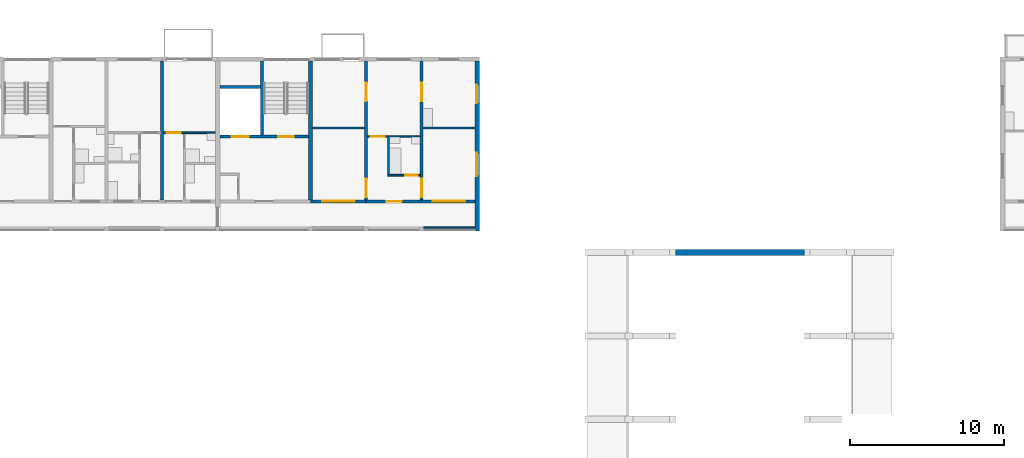
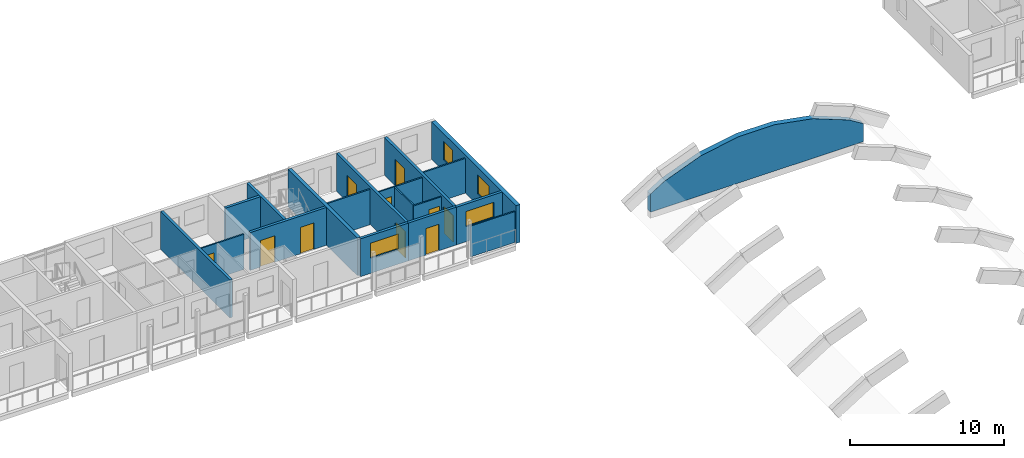
# One storey, part 41 of 99: 19 walls, 10 doors, 4 windows, 14 openings.
"""IFC4 building model written with IfcOpenShell, lengths in metres."""

from ifc_helpers import new_model, si_unit, direction, frame, frame_2d, origin, place, context, subcontext, project, spatial, polyline, rectangle, outline, extrude, material, layer, layer_set, type_object, element, fill, save


model = new_model("IFC4")

# Units and contexts
model_context = context("Model", 3, precision=1e-05, world=origin(), true_north=direction((0.0, 1.0)))
body_context = subcontext(model_context, "Body", "Model", "MODEL_VIEW")
ifc_project = project(units=[si_unit("LENGTHUNIT", "METRE"), si_unit("AREAUNIT", "SQUARE_METRE"), si_unit("VOLUMEUNIT", "CUBIC_METRE"), si_unit("PLANEANGLEUNIT", "RADIAN"), si_unit("MASSUNIT", "GRAM", prefix="KILO")], contexts=[model_context])

# Site, building, storey
site_placement = place(None, origin())
site = spatial("IfcSite", under=ifc_project, at=site_placement, CompositionType="ELEMENT")
building_placement = place(site_placement, origin())
building = spatial("IfcBuilding", under=site, at=building_placement, Name="Ridgestep Commons", CompositionType="ELEMENT")
storey_placement = place(building_placement, frame((0.0, 0.0, 15.0)))
storey = spatial("IfcBuildingStorey", under=building, at=storey_placement, Name="L05", CompositionType="ELEMENT", Elevation=15.0)

# Wall
ifc_material_1 = material(Name="Concrete C30/37", Category="concrete")
ifc_layer_1 = layer(ifc_material_1, 0.25)
ifc_layer_set_1 = layer_set([ifc_layer_1], Name="Core cross wall 250")
wall_type_1 = type_object("IfcWallType", Name="Core cross wall 250", PredefinedType="SHEAR", material=ifc_layer_set_1)
wall_1_placement = place(storey_placement, frame((102.0, 68.0, 0.0), z_axis=(0.0, 0.0, 1.0), x_axis=(0.0, 1.0, 0.0)))
element("IfcWall", 1, at=wall_1_placement, inside=storey, type_object=wall_type_1, Name="Cross wall B-05-1020", PredefinedType="SHEAR", context=body_context, shape_type="SweptSolid", body=[
    extrude(rectangle(XDim=9.0, YDim=0.25, at=frame_2d((4.5, 0.0))), origin(), (0.0, 0.0, 1.0), 3.0),
])

# Wall, openings, doors
ifc_material_2 = material(Name="Concrete C30/37", Category="concrete")
ifc_layer_2 = layer(ifc_material_2, 0.199951171875)
ifc_layer_set_2 = layer_set([ifc_layer_2], Name="Core wall 200")
wall_type_2 = type_object("IfcWallType", Name="Core wall 200", PredefinedType="SHEAR", material=ifc_layer_set_2)
wall_2_placement = place(storey_placement, frame((96.14990234375, 72.10009765625, 0.0), z_axis=(0.0, 0.0, 1.0), x_axis=(1.0, 0.0, 0.0)))
wall_2 = element("IfcWall", 2, at=wall_2_placement, inside=storey, type_object=wall_type_2, Name="Core lobby wall B6C L05", PredefinedType="SHEAR", context=body_context, shape_type="SweptSolid", body=[
    extrude(rectangle(XDim=5.72509765625, YDim=0.199951171875, at=frame_2d((2.862548828125, 0.0))), origin(), (0.0, 0.0, 1.0), 3.0),
])
opening_1_placement = place(wall_2_placement, frame((3.77490234375, 0.0, 0.0)))
opening_1 = element("IfcOpeningElement", 3, at=opening_1_placement, cuts=wall_2, Name="Opening B6C/05/2", PredefinedType="OPENING", context=body_context, shape_type="SweptSolid", body=[
    extrude(rectangle(XDim=1.0, YDim=2.10009765625, at=frame_2d((0.5, 1.050048828125))), frame((0.0, 0.10986328125, 0.0), z_axis=(0.0, -1.0, 0.0), x_axis=(1.0, 0.0, 0.0)), (0.0, 0.0, 1.0), 0.219970703125),
])
opening_2_placement = place(wall_2_placement, frame((0.762451171875, 0.0, 0.0)))
opening_2 = element("IfcOpeningElement", 4, at=opening_2_placement, cuts=wall_2, Name="Opening B6C/05/3", PredefinedType="OPENING", context=body_context, shape_type="SweptSolid", body=[
    extrude(rectangle(XDim=1.10009765625, YDim=2.10009765625, at=frame_2d((0.550048828125, 1.050048828125))), frame((0.0, 0.10986328125, 0.0), z_axis=(0.0, -1.0, 0.0), x_axis=(1.0, 0.0, 0.0)), (0.0, 0.0, 1.0), 0.219970703125),
])
ifc_material_3 = material(Name="Stainless steel", Category="steel")
door_type_1 = type_object("IfcDoorType", Name="Lift landing door 1100 x 2100 FD60", OperationType="DOUBLE_DOOR_SLIDING", PredefinedType="DOOR", material=ifc_material_3)
door_1_placement = place(opening_2_placement, origin())
door_1 = element("IfcDoor", 5, at=door_1_placement, inside=storey, type_object=door_type_1, Name="Landing door LD B6C L05", OperationType="DOUBLE_DOOR_SLIDING", OverallHeight=2.10009765625, OverallWidth=1.10009765625, PredefinedType="DOOR", context=body_context, shape_type="SweptSolid", body=[
    extrude(rectangle(XDim=1.10009765625, YDim=2.10009765625, at=frame_2d((0.550048828125, 1.050048828125))), frame((0.0, 0.02490234375, 0.0), z_axis=(0.0, -1.0, 0.0), x_axis=(1.0, 0.0, 0.0)), (0.0, 0.0, 1.0), 0.050048828125),
])
fill(opening_2, door_1)
ifc_material_4 = material(Name="Steel fire door", Category="steel")
door_type_2 = type_object("IfcDoorType", Name="Stair door 1000 x 2100 FD60", OperationType="NOTDEFINED", PredefinedType="DOOR", material=ifc_material_4)
door_2_placement = place(opening_1_placement, origin())
door_2 = element("IfcDoor", 6, at=door_2_placement, inside=storey, type_object=door_type_2, Name="Stair door B6C/05/2", OperationType="SINGLE_SWING_RIGHT", OverallHeight=2.10009765625, OverallWidth=1.0, PredefinedType="DOOR", context=body_context, shape_type="SweptSolid", body=[
    extrude(rectangle(XDim=1.0, YDim=2.10009765625, at=frame_2d((0.5, 1.050048828125))), frame((0.0, 0.02490234375, 0.0), z_axis=(0.0, -1.0, 0.0), x_axis=(1.0, 0.0, 0.0)), (0.0, 0.0, 1.0), 0.050048828125),
])
fill(opening_1, door_2)

# Walls
wall_3_placement = place(storey_placement, frame((98.875, 72.199951171875, 0.0), z_axis=(0.0, 0.0, 1.0), x_axis=(0.0, 1.0, 0.0)))
element("IfcWall", 7, at=wall_3_placement, inside=storey, type_object=wall_type_2, Name="Core stair wall B6C L05", PredefinedType="SHEAR", context=body_context, shape_type="SweptSolid", body=[
    extrude(rectangle(XDim=4.800048828125, YDim=0.199951171875, at=frame_2d((2.39990234375, 0.0))), origin(), (0.0, 0.0, 1.0), 3.0),
])
wall_4_placement = place(storey_placement, frame((96.14990234375, 75.300048828125, 0.0), z_axis=(0.0, 0.0, 1.0), x_axis=(1.0, 0.0, 0.0)))
element("IfcWall", 8, at=wall_4_placement, inside=storey, type_object=wall_type_2, Name="Core duct wall B6C L05", PredefinedType="SHEAR", context=body_context, shape_type="SweptSolid", body=[
    extrude(rectangle(XDim=2.625, YDim=0.199951171875, at=frame_2d((1.3125, 0.0))), origin(), (0.0, 0.0, 1.0), 3.0),
])
ifc_material_5 = material(Name="Precast concrete C40/50", Category="concrete")
ifc_layer_3 = layer(ifc_material_5, 0.199951171875)
ifc_layer_set_3 = layer_set([ifc_layer_3], Name="Cross wall 200")
wall_type_3 = type_object("IfcWallType", Name="Cross wall 200", PredefinedType="SHEAR", material=ifc_layer_set_3)
wall_5_placement = place(storey_placement, frame((92.39990234375, 68.0, 0.0), z_axis=(0.0, 0.0, 1.0), x_axis=(0.0, 1.0, 0.0)))
element("IfcWall", 9, at=wall_5_placement, inside=storey, type_object=wall_type_3, Name="Cross wall B-05-0924", PredefinedType="SHEAR", context=body_context, shape_type="SweptSolid", body=[
    extrude(rectangle(XDim=9.0, YDim=0.199951171875, at=frame_2d((4.5, 0.0))), origin(), (0.0, 0.0, 1.0), 3.0),
])

# Wall, openings, doors
wall_6_placement = place(storey_placement, frame((105.60009765625, 68.0, 0.0), z_axis=(0.0, 0.0, 1.0), x_axis=(0.0, 1.0, 0.0)))
wall_6 = element("IfcWall", 10, at=wall_6_placement, inside=storey, type_object=wall_type_3, Name="Cross wall B-05-1056", PredefinedType="SHEAR", context=body_context, shape_type="SweptSolid", body=[
    extrude(rectangle(XDim=9.0, YDim=0.199951171875, at=frame_2d((4.5, 0.0))), origin(), (0.0, 0.0, 1.0), 3.0),
])
opening_3_placement = place(wall_6_placement, frame((0.175048828125, 0.0, 0.0)))
opening_3 = element("IfcOpeningElement", 11, at=opening_3_placement, cuts=wall_6, Name="Opening B6-05a/4", PredefinedType="OPENING", context=body_context, shape_type="SweptSolid", body=[
    extrude(rectangle(XDim=1.199951171875, YDim=2.10009765625, at=frame_2d((0.60009765625, 1.050048828125))), frame((0.0, 0.10986328125, 0.0), z_axis=(0.0, -1.0, 0.0), x_axis=(1.0, 0.0, 0.0)), (0.0, 0.0, 1.0), 0.219970703125),
])
opening_4_placement = place(wall_6_placement, frame((6.39990234375, 0.0, 0.0)))
opening_4 = element("IfcOpeningElement", 12, at=opening_4_placement, cuts=wall_6, Name="Opening B6-05a/5", PredefinedType="OPENING", context=body_context, shape_type="SweptSolid", body=[
    extrude(rectangle(XDim=1.199951171875, YDim=2.10009765625, at=frame_2d((0.60009765625, 1.050048828125))), frame((0.0, 0.10986328125, 0.0), z_axis=(0.0, -1.0, 0.0), x_axis=(1.0, 0.0, 0.0)), (0.0, 0.0, 1.0), 0.219970703125),
])
ifc_material_6 = material(Name="Timber door leaf", Category="wood")
door_type_3 = type_object("IfcDoorType", Name="Double door 1200 x 2100", OperationType="DOUBLE_DOOR_SINGLE_SWING", PredefinedType="DOOR", material=ifc_material_6)
door_3_placement = place(opening_3_placement, origin())
door_3 = element("IfcDoor", 13, at=door_3_placement, inside=storey, type_object=door_type_3, Name="Double door B6-05a/4", OperationType="DOUBLE_DOOR_SINGLE_SWING", OverallHeight=2.10009765625, OverallWidth=1.199951171875, PredefinedType="DOOR", context=body_context, shape_type="SweptSolid", body=[
    extrude(rectangle(XDim=1.199951171875, YDim=2.10009765625, at=frame_2d((0.60009765625, 1.050048828125))), frame((0.0, 0.02490234375, 0.0), z_axis=(0.0, -1.0, 0.0), x_axis=(1.0, 0.0, 0.0)), (0.0, 0.0, 1.0), 0.050048828125),
])
fill(opening_3, door_3)
door_4_placement = place(opening_4_placement, origin())
door_4 = element("IfcDoor", 14, at=door_4_placement, inside=storey, type_object=door_type_3, Name="Double door B6-05a/5", OperationType="DOUBLE_DOOR_SINGLE_SWING", OverallHeight=2.10009765625, OverallWidth=1.199951171875, PredefinedType="DOOR", context=body_context, shape_type="SweptSolid", body=[
    extrude(rectangle(XDim=1.199951171875, YDim=2.10009765625, at=frame_2d((0.60009765625, 1.050048828125))), frame((0.0, 0.02490234375, 0.0), z_axis=(0.0, -1.0, 0.0), x_axis=(1.0, 0.0, 0.0)), (0.0, 0.0, 1.0), 0.050048828125),
])
fill(opening_4, door_4)

wall_7_placement = place(storey_placement, frame((109.199951171875, 68.0, 0.0), z_axis=(0.0, 0.0, 1.0), x_axis=(0.0, 1.0, 0.0)))
wall_7 = element("IfcWall", 15, at=wall_7_placement, inside=storey, type_object=wall_type_3, Name="Cross wall B-05-1092", PredefinedType="SHEAR", context=body_context, shape_type="SweptSolid", body=[
    extrude(rectangle(XDim=9.0, YDim=0.199951171875, at=frame_2d((4.5, 0.0))), origin(), (0.0, 0.0, 1.0), 3.0),
])
opening_5_placement = place(wall_7_placement, frame((0.175048828125, 0.0, 0.0)))
opening_5 = element("IfcOpeningElement", 16, at=opening_5_placement, cuts=wall_7, Name="Opening B6-05a/6", PredefinedType="OPENING", context=body_context, shape_type="SweptSolid", body=[
    extrude(rectangle(XDim=1.199951171875, YDim=2.10009765625, at=frame_2d((0.60009765625, 1.050048828125))), frame((0.0, 0.10986328125, 0.0), z_axis=(0.0, -1.0, 0.0), x_axis=(1.0, 0.0, 0.0)), (0.0, 0.0, 1.0), 0.219970703125),
])
opening_6_placement = place(wall_7_placement, frame((6.39990234375, 0.0, 0.0)))
opening_6 = element("IfcOpeningElement", 17, at=opening_6_placement, cuts=wall_7, Name="Opening B6-05a/7", PredefinedType="OPENING", context=body_context, shape_type="SweptSolid", body=[
    extrude(rectangle(XDim=1.199951171875, YDim=2.10009765625, at=frame_2d((0.60009765625, 1.050048828125))), frame((0.0, 0.10986328125, 0.0), z_axis=(0.0, -1.0, 0.0), x_axis=(1.0, 0.0, 0.0)), (0.0, 0.0, 1.0), 0.219970703125),
])
door_5_placement = place(opening_5_placement, origin())
door_5 = element("IfcDoor", 18, at=door_5_placement, inside=storey, type_object=door_type_3, Name="Double door B6-05a/6", OperationType="DOUBLE_DOOR_SINGLE_SWING", OverallHeight=2.10009765625, OverallWidth=1.199951171875, PredefinedType="DOOR", context=body_context, shape_type="SweptSolid", body=[
    extrude(rectangle(XDim=1.199951171875, YDim=2.10009765625, at=frame_2d((0.60009765625, 1.050048828125))), frame((0.0, 0.02490234375, 0.0), z_axis=(0.0, -1.0, 0.0), x_axis=(1.0, 0.0, 0.0)), (0.0, 0.0, 1.0), 0.050048828125),
])
fill(opening_5, door_5)
door_6_placement = place(opening_6_placement, origin())
door_6 = element("IfcDoor", 19, at=door_6_placement, inside=storey, type_object=door_type_3, Name="Double door B6-05a/7", OperationType="DOUBLE_DOOR_SINGLE_SWING", OverallHeight=2.10009765625, OverallWidth=1.199951171875, PredefinedType="DOOR", context=body_context, shape_type="SweptSolid", body=[
    extrude(rectangle(XDim=1.199951171875, YDim=2.10009765625, at=frame_2d((0.60009765625, 1.050048828125))), frame((0.0, 0.02490234375, 0.0), z_axis=(0.0, -1.0, 0.0), x_axis=(1.0, 0.0, 0.0)), (0.0, 0.0, 1.0), 0.050048828125),
])
fill(opening_6, door_6)

# Wall, openings, windows
ifc_material_7 = material(Name="Precast concrete C40/50", Category="concrete")
ifc_layer_4 = layer(ifc_material_7, 0.300048828125)
ifc_layer_set_4 = layer_set([ifc_layer_4], Name="Exposed division wall 300")
wall_type_4 = type_object("IfcWallType", Name="Exposed division wall 300", PredefinedType="SHEAR", material=ifc_layer_set_4)
wall_8_placement = place(storey_placement, frame((112.800048828125, 66.0, 0.0), z_axis=(0.0, 0.0, 1.0), x_axis=(0.0, 1.0, 0.0)))
wall_8 = element("IfcWall", 20, at=wall_8_placement, inside=storey, type_object=wall_type_4, Name="Cross wall B-05-1128", PredefinedType="SHEAR", context=body_context, shape_type="SweptSolid", body=[
    extrude(rectangle(XDim=11.0, YDim=0.300048828125, at=frame_2d((5.5, 0.0))), origin(), (0.0, 0.0, 1.0), 3.0),
])
opening_7_placement = place(wall_8_placement, frame((3.550048828125, 0.0, 0.89990234375)))
opening_7 = element("IfcOpeningElement", 21, at=opening_7_placement, cuts=wall_8, Name="Opening W16", PredefinedType="OPENING", context=body_context, shape_type="SweptSolid", body=[
    extrude(rectangle(XDim=1.5, YDim=1.5, at=frame_2d((0.75, 0.75))), frame((0.0, 0.159912109375, 0.0), z_axis=(0.0, -1.0, 0.0), x_axis=(1.0, 0.0, 0.0)), (0.0, 0.0, 1.0), 0.320068359375),
])
opening_8_placement = place(wall_8_placement, frame((8.2548828125, 0.0, 0.89990234375)))
opening_8 = element("IfcOpeningElement", 22, at=opening_8_placement, cuts=wall_8, Name="Opening W10", PredefinedType="OPENING", context=body_context, shape_type="SweptSolid", body=[
    extrude(rectangle(XDim=1.199951171875, YDim=1.5, at=frame_2d((0.60009765625, 0.75))), frame((0.0, 0.159912109375, 0.0), z_axis=(0.0, -1.0, 0.0), x_axis=(1.0, 0.0, 0.0)), (0.0, 0.0, 1.0), 0.320068359375),
])
ifc_material_8 = material(Name="Aluminium 6063-T6 and glass", Category="aluminium")
window_type_1 = type_object("IfcWindowType", Name="Flat window 1200 x 1500", PartitioningType="SINGLE_PANEL", PredefinedType="WINDOW", material=ifc_material_8)
window_1_placement = place(opening_8_placement, origin())
window_1 = element("IfcWindow", 23, at=window_1_placement, inside=storey, type_object=window_type_1, Name="Window B6-05a 7", OverallHeight=1.5, OverallWidth=1.199951171875, PartitioningType="SINGLE_PANEL", PredefinedType="WINDOW", context=body_context, shape_type="SweptSolid", body=[
    extrude(rectangle(XDim=1.199951171875, YDim=1.5, at=frame_2d((0.60009765625, 0.75))), frame((0.0, 0.06005859375, 0.0), z_axis=(0.0, -1.0, 0.0), x_axis=(1.0, 0.0, 0.0)), (0.0, 0.0, 1.0), 0.06005859375),
])
fill(opening_8, window_1)
ifc_material_9 = material(Name="Aluminium 6063-T6 and glass", Category="aluminium")
window_type_2 = type_object("IfcWindowType", Name="Flat window 1500 x 1500", PartitioningType="DOUBLE_PANEL_VERTICAL", PredefinedType="WINDOW", material=ifc_material_9)
window_2_placement = place(opening_7_placement, origin())
window_2 = element("IfcWindow", 24, at=window_2_placement, inside=storey, type_object=window_type_2, Name="Window B6-05a 6", OverallHeight=1.5, OverallWidth=1.5, PartitioningType="SINGLE_PANEL", PredefinedType="WINDOW", context=body_context, shape_type="SweptSolid", body=[
    extrude(rectangle(XDim=1.5, YDim=1.5, at=frame_2d((0.75, 0.75))), frame((0.0, 0.06005859375, 0.0), z_axis=(0.0, -1.0, 0.0), x_axis=(1.0, 0.0, 0.0)), (0.0, 0.0, 1.0), 0.06005859375),
])
fill(opening_7, window_2)

# Wall
ifc_material_10 = material(Name="Precast concrete C40/50", Category="concrete")
ifc_layer_5 = layer(ifc_material_10, 0.39990234375)
ifc_layer_set_5 = layer_set([ifc_layer_5], Name="Hall gable infill 400")
wall_type_5 = type_object("IfcWallType", Name="Hall gable infill 400", PredefinedType="SOLIDWALL", material=ifc_layer_set_5)
wall_9_placement = place(storey_placement, frame((121.800048828125, 64.60009765625, 0.25), z_axis=(0.0, 0.0, 1.0), x_axis=(1.0, 0.0, 0.0)))
element("IfcWall", 25, at=wall_9_placement, inside=storey, type_object=wall_type_5, Name="Hall gable infill 400", PredefinedType="SOLIDWALL", context=body_context, shape_type="SweptSolid", body=[
    extrude(outline(polyline([(0.0, 0.0), (16.0, 0.0), (16.0, 1.428466796875), (14.943115234375, 2.09130859375), (12.224609375, 3.1494140625), (9.354248046875, 3.678466796875), (8.0, 3.678466796875), (6.645751953125, 3.678466796875), (3.775390625, 3.1494140625), (1.056884765625, 2.09130859375), (0.0, 1.428466796875), (0.0, 0.0)])), frame((0.0, 0.199951171875, 0.0), z_axis=(0.0, -1.0, 0.0), x_axis=(1.0, 0.0, 0.0)), (0.0, 0.0, 1.0), 0.39990234375),
])

# Wall, opening, door
ifc_material_11 = material(Name="Common brick 110 mm", Category="masonry")
ifc_layer_6 = layer(ifc_material_11, 0.110107421875)
ifc_layer_set_6 = layer_set([ifc_layer_6], Name="Partition 110")
wall_type_6 = type_object("IfcWallType", Name="Partition 110", PredefinedType="PARTITIONING", material=ifc_layer_set_6)
wall_10_placement = place(storey_placement, frame((92.5, 72.35498046875, 0.0), z_axis=(0.0, 0.0, 1.0), x_axis=(1.0, 0.0, 0.0)))
wall_10 = element("IfcWall", 26, at=wall_10_placement, inside=storey, type_object=wall_type_6, Name="Partition B5-05a", PredefinedType="PARTITIONING", context=body_context, shape_type="SweptSolid", body=[
    extrude(rectangle(XDim=3.35009765625, YDim=0.110107421875, at=frame_2d((1.675048828125, 0.0))), origin(), (0.0, 0.0, 1.0), 2.800048828125),
])
opening_9_placement = place(wall_10_placement, frame((0.199951171875, 0.0, 0.0)))
opening_9 = element("IfcOpeningElement", 27, at=opening_9_placement, cuts=wall_10, Name="Opening B5-05a/4", PredefinedType="OPENING", context=body_context, shape_type="SweptSolid", body=[
    extrude(rectangle(XDim=0.89990234375, YDim=2.10009765625, at=frame_2d((0.449951171875, 1.050048828125))), frame((0.0, 0.06494140625, 0.0), z_axis=(0.0, -1.0, 0.0), x_axis=(1.0, 0.0, 0.0)), (0.0, 0.0, 1.0), 0.130126953125),
])
ifc_material_12 = material(Name="Timber door leaf", Category="wood")
door_type_4 = type_object("IfcDoorType", Name="Internal door 900 x 2100", OperationType="NOTDEFINED", PredefinedType="DOOR", material=ifc_material_12)
door_7_placement = place(opening_9_placement, origin())
door_7 = element("IfcDoor", 28, at=door_7_placement, inside=storey, type_object=door_type_4, Name="Internal door B5-05a/4", OperationType="SINGLE_SWING_RIGHT", OverallHeight=2.10009765625, OverallWidth=0.89990234375, PredefinedType="DOOR", context=body_context, shape_type="SweptSolid", body=[
    extrude(rectangle(XDim=0.89990234375, YDim=2.10009765625, at=frame_2d((0.449951171875, 1.050048828125))), frame((0.0, 0.02490234375, 0.0), z_axis=(0.0, -1.0, 0.0), x_axis=(1.0, 0.0, 0.0)), (0.0, 0.0, 1.0), 0.050048828125),
])
fill(opening_9, door_7)

wall_11_placement = place(storey_placement, frame((107.0, 69.60498046875, 0.0), z_axis=(0.0, 0.0, 1.0), x_axis=(1.0, 0.0, 0.0)))
wall_11 = element("IfcWall", 29, at=wall_11_placement, inside=storey, type_object=wall_type_6, Name="Partition B6-05a", PredefinedType="PARTITIONING", context=body_context, shape_type="SweptSolid", body=[
    extrude(rectangle(XDim=2.10009765625, YDim=0.110107421875, at=frame_2d((1.050048828125, 0.0))), origin(), (0.0, 0.0, 1.0), 2.800048828125),
])
opening_10_placement = place(wall_11_placement, frame((1.14990234375, 0.0, 0.0)))
opening_10 = element("IfcOpeningElement", 30, at=opening_10_placement, cuts=wall_11, Name="Opening B6-05a/2", PredefinedType="OPENING", context=body_context, shape_type="SweptSolid", body=[
    extrude(rectangle(XDim=0.800048828125, YDim=2.10009765625, at=frame_2d((0.39990234375, 1.050048828125))), frame((0.0, 0.06494140625, 0.0), z_axis=(0.0, -1.0, 0.0), x_axis=(1.0, 0.0, 0.0)), (0.0, 0.0, 1.0), 0.130126953125),
])
ifc_material_13 = material(Name="Timber door leaf", Category="wood")
door_type_5 = type_object("IfcDoorType", Name="Internal door 800 x 2100", OperationType="NOTDEFINED", PredefinedType="DOOR", material=ifc_material_13)
door_8_placement = place(opening_10_placement, origin())
door_8 = element("IfcDoor", 31, at=door_8_placement, inside=storey, type_object=door_type_5, Name="Internal door B6-05a/2", OperationType="SINGLE_SWING_RIGHT", OverallHeight=2.10009765625, OverallWidth=0.800048828125, PredefinedType="DOOR", context=body_context, shape_type="SweptSolid", body=[
    extrude(rectangle(XDim=0.800048828125, YDim=2.10009765625, at=frame_2d((0.39990234375, 1.050048828125))), frame((0.0, 0.02490234375, 0.0), z_axis=(0.0, -1.0, 0.0), x_axis=(1.0, 0.0, 0.0)), (0.0, 0.0, 1.0), 0.050048828125),
])
fill(opening_10, door_8)

# Wall
wall_12_placement = place(storey_placement, frame((107.054931640625, 69.659912109375, 0.0), z_axis=(0.0, 0.0, 1.0), x_axis=(0.0, 1.0, 0.0)))
element("IfcWall", 32, at=wall_12_placement, inside=storey, type_object=wall_type_6, Name="Partition B6-05a", PredefinedType="PARTITIONING", context=body_context, shape_type="SweptSolid", body=[
    extrude(rectangle(XDim=2.400146484375, YDim=0.110107421875, at=frame_2d((1.2001953125, 0.0))), origin(), (0.0, 0.0, 1.0), 2.800048828125),
])

# Wall, opening, door
wall_13_placement = place(storey_placement, frame((105.699951171875, 72.114990234375, 0.0), z_axis=(0.0, 0.0, 1.0), x_axis=(1.0, 0.0, 0.0)))
wall_13 = element("IfcWall", 33, at=wall_13_placement, inside=storey, type_object=wall_type_6, Name="Partition B6-05a", PredefinedType="PARTITIONING", context=body_context, shape_type="SweptSolid", body=[
    extrude(rectangle(XDim=3.400146484375, YDim=0.110107421875, at=frame_2d((1.7001953125, 0.0))), origin(), (0.0, 0.0, 1.0), 2.800048828125),
])
opening_11_placement = place(wall_13_placement, frame((0.199951171875, 0.0, 0.0)))
opening_11 = element("IfcOpeningElement", 34, at=opening_11_placement, cuts=wall_13, Name="Opening B6-05a/3", PredefinedType="OPENING", context=body_context, shape_type="SweptSolid", body=[
    extrude(rectangle(XDim=0.89990234375, YDim=2.10009765625, at=frame_2d((0.449951171875, 1.050048828125))), frame((0.0, 0.06494140625, 0.0), z_axis=(0.0, -1.0, 0.0), x_axis=(1.0, 0.0, 0.0)), (0.0, 0.0, 1.0), 0.130126953125),
])
door_9_placement = place(opening_11_placement, origin())
door_9 = element("IfcDoor", 35, at=door_9_placement, inside=storey, type_object=door_type_4, Name="Internal door B6-05a/3", OperationType="SINGLE_SWING_RIGHT", OverallHeight=2.10009765625, OverallWidth=0.89990234375, PredefinedType="DOOR", context=body_context, shape_type="SweptSolid", body=[
    extrude(rectangle(XDim=0.89990234375, YDim=2.10009765625, at=frame_2d((0.449951171875, 1.050048828125))), frame((0.0, 0.02490234375, 0.0), z_axis=(0.0, -1.0, 0.0), x_axis=(1.0, 0.0, 0.0)), (0.0, 0.0, 1.0), 0.050048828125),
])
fill(opening_11, door_9)

# Walls
wall_14_placement = place(storey_placement, frame((102.125, 72.655029296875, 0.0), z_axis=(0.0, 0.0, 1.0), x_axis=(1.0, 0.0, 0.0)))
element("IfcWall", 36, at=wall_14_placement, inside=storey, type_object=wall_type_6, Name="Partition B6-05a", PredefinedType="PARTITIONING", context=body_context, shape_type="SweptSolid", body=[
    extrude(rectangle(XDim=3.375, YDim=0.110107421875, at=frame_2d((1.6875, 0.0))), origin(), (0.0, 0.0, 1.0), 2.800048828125),
])
wall_15_placement = place(storey_placement, frame((109.300048828125, 72.655029296875, 0.0), z_axis=(0.0, 0.0, 1.0), x_axis=(1.0, 0.0, 0.0)))
element("IfcWall", 37, at=wall_15_placement, inside=storey, type_object=wall_type_6, Name="Partition B6-05a", PredefinedType="PARTITIONING", context=body_context, shape_type="SweptSolid", body=[
    extrude(rectangle(XDim=3.349853515625, YDim=0.110107421875, at=frame_2d((1.6748046875, 0.0))), origin(), (0.0, 0.0, 1.0), 2.75),
])
ifc_material_14 = material(Name="Precast concrete C30/37", Category="concrete")
ifc_layer_7 = layer(ifc_material_14, 0.10009765625)
ifc_layer_set_7 = layer_set([ifc_layer_7], Name="Perforated gallery screen 3325 x 2450 x 100")
wall_type_7 = type_object("IfcWallType", Name="Perforated gallery screen 3325 x 2450 x 100", PredefinedType="SOLIDWALL", material=ifc_layer_set_7)
wall_16_placement = place(storey_placement, frame((109.324951171875, 66.199951171875, 0.0), z_axis=(0.0, 0.0, 1.0), x_axis=(1.0, 0.0, 0.0)))
element("IfcWall", 38, at=wall_16_placement, inside=storey, type_object=wall_type_7, Name="Gallery screen B6T1 05", PredefinedType="SOLIDWALL", context=body_context, shape_type="SweptSolid", body=[
    extrude(rectangle(XDim=3.324951171875, YDim=0.10009765625, at=frame_2d((1.66259765625, 0.0))), origin(), (0.0, 0.0, 1.0), 2.449951171875),
])

# Wall, opening, window
ifc_material_15 = material(Name="Precast concrete C40/50", Category="concrete")
ifc_layer_8 = layer(ifc_material_15, 0.199951171875)
ifc_layer_set_8 = layer_set([ifc_layer_8], Name="South facade panel 200")
wall_type_8 = type_object("IfcWallType", Name="South facade panel 200", PredefinedType="SOLIDWALL", material=ifc_layer_set_8)
wall_17_placement = place(storey_placement, frame((102.0, 67.89990234375, 0.0), z_axis=(0.0, 0.0, 1.0), x_axis=(1.0, 0.0, 0.0)))
wall_17 = element("IfcWall", 39, at=wall_17_placement, inside=storey, type_object=wall_type_8, Name="South panel B6T3 L05", PredefinedType="SOLIDWALL", context=body_context, shape_type="SweptSolid", body=[
    extrude(rectangle(XDim=3.60009765625, YDim=0.199951171875, at=frame_2d((1.800048828125, 0.0))), origin(), (0.0, 0.0, 1.0), 3.0),
])
opening_12_placement = place(wall_17_placement, frame((0.762451171875, 0.0, 1.199951171875)))
opening_12 = element("IfcOpeningElement", 40, at=opening_12_placement, cuts=wall_17, Name="Opening W22", PredefinedType="OPENING", context=body_context, shape_type="SweptSolid", body=[
    extrude(rectangle(XDim=2.10009765625, YDim=1.199951171875, at=frame_2d((1.050048828125, 0.60009765625))), frame((0.0, 0.10986328125, 0.0), z_axis=(0.0, -1.0, 0.0), x_axis=(1.0, 0.0, 0.0)), (0.0, 0.0, 1.0), 0.219970703125),
])
ifc_material_16 = material(Name="Aluminium 6063-T6 and glass", Category="aluminium")
window_type_3 = type_object("IfcWindowType", Name="Flat window 2100 x 1200", PartitioningType="DOUBLE_PANEL_VERTICAL", PredefinedType="WINDOW", material=ifc_material_16)
window_3_placement = place(opening_12_placement, origin())
window_3 = element("IfcWindow", 41, at=window_3_placement, inside=storey, type_object=window_type_3, Name="Window B6-05a 1", OverallHeight=1.199951171875, OverallWidth=2.10009765625, PartitioningType="SINGLE_PANEL", PredefinedType="WINDOW", context=body_context, shape_type="SweptSolid", body=[
    extrude(rectangle(XDim=2.10009765625, YDim=1.199951171875, at=frame_2d((1.050048828125, 0.60009765625))), frame((0.0, 0.06005859375, 0.0), z_axis=(0.0, -1.0, 0.0), x_axis=(1.0, 0.0, 0.0)), (0.0, 0.0, 1.0), 0.06005859375),
])
fill(opening_12, window_3)

# Wall, opening, door
wall_18_placement = place(storey_placement, frame((105.60009765625, 67.89990234375, 0.0), z_axis=(0.0, 0.0, 1.0), x_axis=(1.0, 0.0, 0.0)))
wall_18 = element("IfcWall", 42, at=wall_18_placement, inside=storey, type_object=wall_type_8, Name="South panel B6T2 L05", PredefinedType="SOLIDWALL", context=body_context, shape_type="SweptSolid", body=[
    extrude(rectangle(XDim=3.599853515625, YDim=0.199951171875, at=frame_2d((1.7998046875, 0.0))), origin(), (0.0, 0.0, 1.0), 3.0),
])
opening_13_placement = place(wall_18_placement, frame((1.300048828125, 0.0, 0.0)))
opening_13 = element("IfcOpeningElement", 43, at=opening_13_placement, cuts=wall_18, Name="Opening B6-05a/1", PredefinedType="OPENING", context=body_context, shape_type="SweptSolid", body=[
    extrude(rectangle(XDim=1.0, YDim=2.10009765625, at=frame_2d((0.5, 1.050048828125))), frame((0.0, 0.10986328125, 0.0), z_axis=(0.0, -1.0, 0.0), x_axis=(1.0, 0.0, 0.0)), (0.0, 0.0, 1.0), 0.219970703125),
])
ifc_material_17 = material(Name="Timber door leaf", Category="wood")
door_type_6 = type_object("IfcDoorType", Name="Flat entrance door 1000 x 2100 FD30S", OperationType="NOTDEFINED", PredefinedType="DOOR", material=ifc_material_17)
door_10_placement = place(opening_13_placement, origin())
door_10 = element("IfcDoor", 44, at=door_10_placement, inside=storey, type_object=door_type_6, Name="Flat entrance door B6-05a/1", OperationType="SINGLE_SWING_LEFT", OverallHeight=2.10009765625, OverallWidth=1.0, PredefinedType="DOOR", context=body_context, shape_type="SweptSolid", body=[
    extrude(rectangle(XDim=1.0, YDim=2.10009765625, at=frame_2d((0.5, 1.050048828125))), frame((0.0, 0.02490234375, 0.0), z_axis=(0.0, -1.0, 0.0), x_axis=(1.0, 0.0, 0.0)), (0.0, 0.0, 1.0), 0.050048828125),
])
fill(opening_13, door_10)

# Wall, opening, window
wall_19_placement = place(storey_placement, frame((109.199951171875, 67.89990234375, 0.0), z_axis=(0.0, 0.0, 1.0), x_axis=(1.0, 0.0, 0.0)))
wall_19 = element("IfcWall", 45, at=wall_19_placement, inside=storey, type_object=wall_type_8, Name="South panel B6T1 L05", PredefinedType="SOLIDWALL", context=body_context, shape_type="SweptSolid", body=[
    extrude(rectangle(XDim=3.449951171875, YDim=0.199951171875, at=frame_2d((1.72509765625, 0.0))), origin(), (0.0, 0.0, 1.0), 3.0),
])
opening_14_placement = place(wall_19_placement, frame((0.72509765625, 0.0, 1.199951171875)))
opening_14 = element("IfcOpeningElement", 46, at=opening_14_placement, cuts=wall_19, Name="Opening W22", PredefinedType="OPENING", context=body_context, shape_type="SweptSolid", body=[
    extrude(rectangle(XDim=2.10009765625, YDim=1.199951171875, at=frame_2d((1.050048828125, 0.60009765625))), frame((0.0, 0.10986328125, 0.0), z_axis=(0.0, -1.0, 0.0), x_axis=(1.0, 0.0, 0.0)), (0.0, 0.0, 1.0), 0.219970703125),
])
window_4_placement = place(opening_14_placement, origin())
window_4 = element("IfcWindow", 47, at=window_4_placement, inside=storey, type_object=window_type_3, Name="Window B6-05a 3", OverallHeight=1.199951171875, OverallWidth=2.10009765625, PartitioningType="SINGLE_PANEL", PredefinedType="WINDOW", context=body_context, shape_type="SweptSolid", body=[
    extrude(rectangle(XDim=2.10009765625, YDim=1.199951171875, at=frame_2d((1.050048828125, 0.60009765625))), frame((0.0, 0.06005859375, 0.0), z_axis=(0.0, -1.0, 0.0), x_axis=(1.0, 0.0, 0.0)), (0.0, 0.0, 1.0), 0.06005859375),
])
fill(opening_14, window_4)

save(model, "model.ifc")
